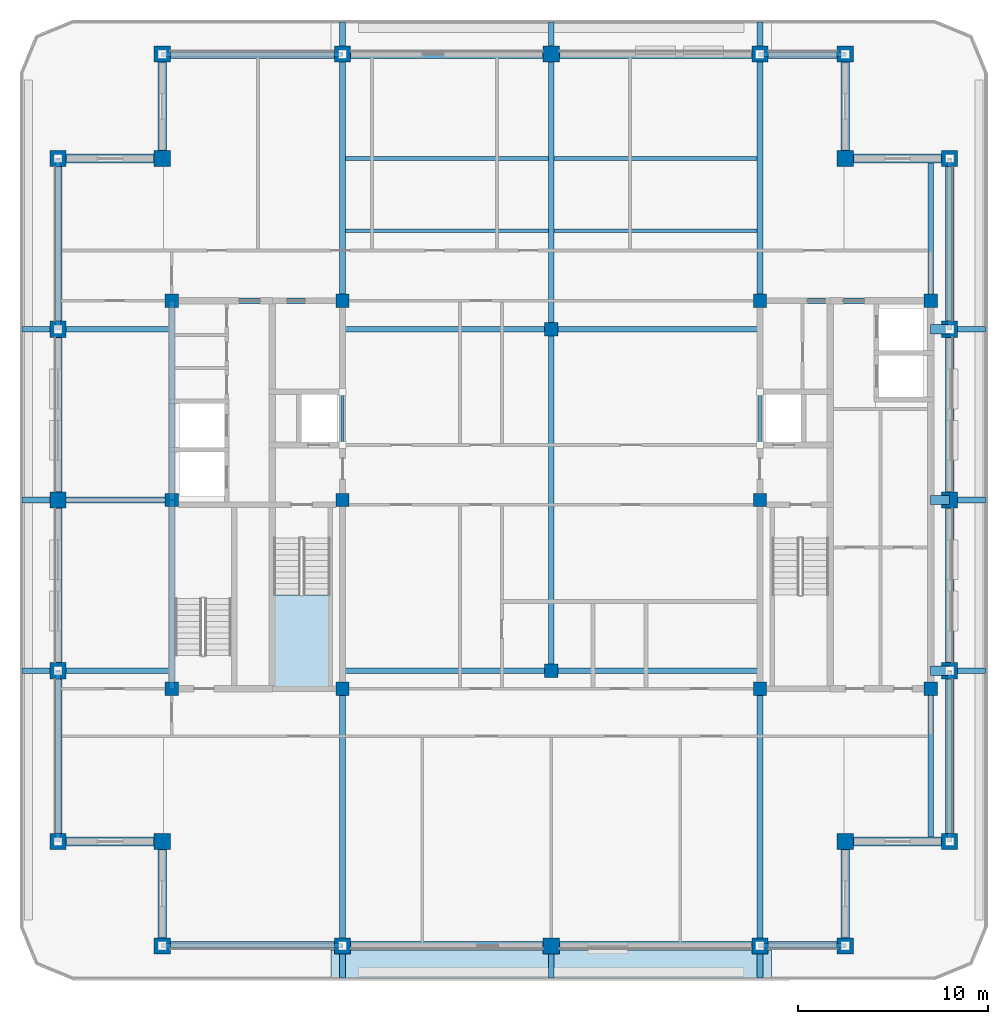
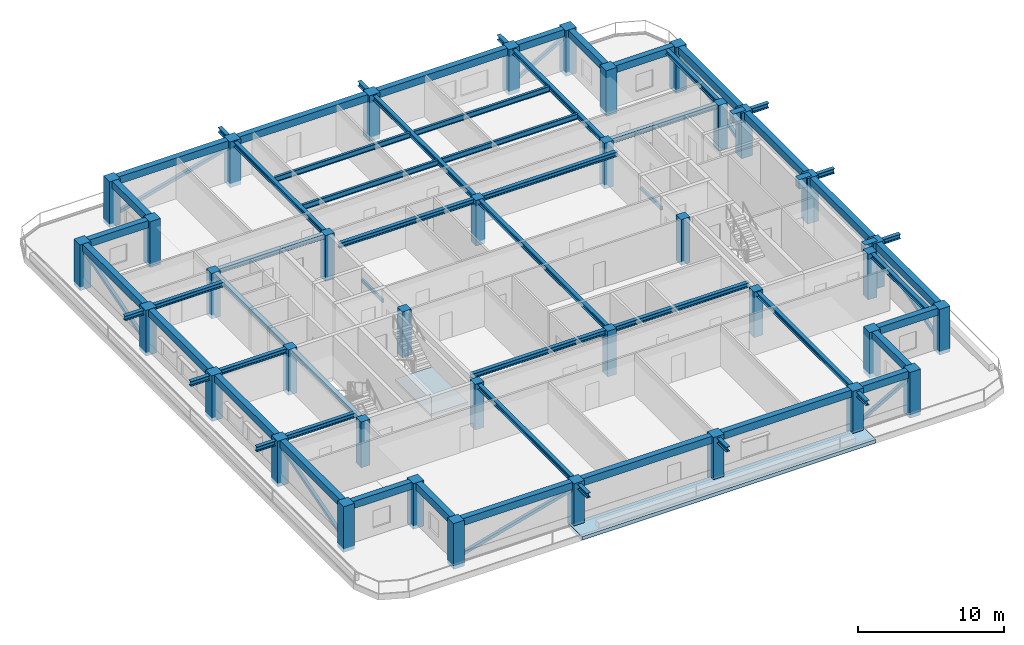
# One storey, part 1 of 11: 64 beams, 37 columns, 8 members, 2 slabs, 1 element without a shape of its own.
"""IFC4 building model written with IfcOpenShell, lengths in metres."""

from ifc_helpers import new_model, si_unit, direction, frame, origin, origin_2d, place, context, subcontext, project, spatial, polyline, rectangle, hollow_rectangle, i_section, outline, extrude, material, layer, layer_set, material_profile, profile_set, type_object, element, aggregate, save


model = new_model("IFC4")

# Units and contexts
model_context = context("Model", 3, precision=1e-05, world=origin(), true_north=direction((0.0, 1.0)))
body_context = subcontext(model_context, "Body", "Model", "MODEL_VIEW")
ifc_project = project(units=[si_unit("LENGTHUNIT", "METRE"), si_unit("AREAUNIT", "SQUARE_METRE"), si_unit("VOLUMEUNIT", "CUBIC_METRE"), si_unit("PLANEANGLEUNIT", "RADIAN"), si_unit("MASSUNIT", "GRAM", prefix="KILO")], contexts=[model_context])

# Site, building, storey
site_placement = place(None, origin())
site = spatial("IfcSite", under=ifc_project, at=site_placement, CompositionType="ELEMENT")
building_placement = place(site_placement, origin())
building = spatial("IfcBuilding", under=site, at=building_placement, Name="Zulmaris Gate Convention Tower", CompositionType="ELEMENT")
storey_placement = place(building_placement, frame((0.0, 0.0, 270.580078125)))
storey = spatial("IfcBuildingStorey", under=building, at=storey_placement, Name="L72", CompositionType="ELEMENT", Elevation=270.580078125)

# Columns
ifc_material_1 = material(Name="Concrete C50/60", Category="concrete")
ifc_material_profile_1 = material_profile(ifc_material_1, rectangle(XDim=0.699951171875, YDim=0.699951171875, at=origin_2d()), Name="RC COL 700x700")
ifc_profile_set_1 = profile_set([ifc_material_profile_1], Name="Concrete C50/60")
column_type_1 = type_object("IfcColumnType", Name="COL-RC700", PredefinedType="COLUMN", material=ifc_profile_set_1)
for number, where, z_axis, x_axis, name in (
    (1, (-20.0, -9.949951171875, -0.324951171875), (0.0, 0.0, 1.0), (1.0, 0.0, 0.0), "L72 Column IN--20.00_-9.95"),
    (2, (-20.0, 10.5, -0.324951171875), (0.0, 0.0, 1.0), (1.0, 0.0, 0.0), "L72 Column IN--20.00_+10.50"),
    (3, (-11.0, -9.949951171875, -0.324951171875), (0.0, 0.0, 1.0), (1.0, 0.0, 0.0), "L72 Column IN--11.00_-9.95"),
    (4, (-11.0, 0.0, -0.324951171875), (0.0, 0.0, 1.0), (1.0, 0.0, 0.0), "L72 Column IN--11.00_+0.00"),
    (5, (-11.0, 10.5, -0.324951171875), (0.0, 0.0, 1.0), (1.0, 0.0, 0.0), "L72 Column IN--11.00_+10.50"),
    (6, (11.0, -9.949951171875, -0.324951171875), (0.0, 0.0, 1.0), (1.0, 0.0, 0.0), "L72 Column IN-+11.00_-9.95"),
    (7, (11.0, 0.0, -0.324951171875), (0.0, 0.0, 1.0), (1.0, 0.0, 0.0), "L72 Column IN-+11.00_+0.00"),
    (8, (11.0, 10.5, -0.324951171875), (0.0, 0.0, 1.0), (1.0, 0.0, 0.0), "L72 Column IN-+11.00_+10.50"),
    (9, (20.0, -9.949951171875, -0.324951171875), (0.0, 0.0, 1.0), (1.0, 0.0, 0.0), "L72 Column IN-+20.00_-9.95"),
    (10, (20.0, 10.5, -0.324951171875), (0.0, 0.0, 1.0), (1.0, 0.0, 0.0), "L72 Column IN-+20.00_+10.50"),
    (11, (0.0, -9.0, -0.324951171875), (0.0, 0.0, 1.0), (1.0, 0.0, 0.0), "L72 Column IN-+0.00_-9.00"),
    (12, (0.0, 9.0, -0.324951171875), (0.0, 0.0, 1.0), (1.0, 0.0, 0.0), "L72 Column IN-+0.00_+9.00"),
    (13, (-20.0, 0.0, -0.324951171875), (0.0, 0.0, 1.0), (1.0, 0.0, 0.0), "L72 Column IN--20.00_+0.00"),
):
    element("IfcColumn", number, at=place(storey_placement, frame(where, z_axis=z_axis, x_axis=x_axis)), inside=storey, type_object=column_type_1, Name=name, PredefinedType="COLUMN", context=body_context, shape_type="SweptSolid", body=[
        extrude(rectangle(XDim=0.699951171875, YDim=0.699951171875, at=origin_2d()), origin(), (0.0, 0.0, 1.0), 3.81494140625),
    ])
ifc_material_2 = material(Name="Concrete C60/75", Category="concrete")
ifc_material_profile_2 = material_profile(ifc_material_2, rectangle(XDim=0.85009765625, YDim=0.85009765625, at=origin_2d()), Name="RC COL 850x850")
ifc_profile_set_2 = profile_set([ifc_material_profile_2], Name="Concrete C60/75")
column_type_2 = type_object("IfcColumnType", Name="COL-RC850", PredefinedType="COLUMN", material=ifc_profile_set_2)
for number, where, z_axis, x_axis, name in (
    (14, (-20.5, -23.5, -0.324951171875), (0.0, 0.0, 1.0), (1.0, 0.0, 0.0), "L72 Column PT--20.50_-23.50"),
    (15, (-11.0, -23.5, -0.324951171875), (0.0, 0.0, 1.0), (1.0, 0.0, 0.0), "L72 Column PT--11.00_-23.50"),
    (16, (0.0, -23.5, -0.324951171875), (0.0, 0.0, 1.0), (1.0, 0.0, 0.0), "L72 Column PT-+0.00_-23.50"),
    (17, (11.0, -23.5, -0.324951171875), (0.0, 0.0, 1.0), (1.0, 0.0, 0.0), "L72 Column PT-+11.00_-23.50"),
    (18, (15.5, -23.5, -0.324951171875), (0.0, 0.0, 1.0), (1.0, 0.0, 0.0), "L72 Column PT-+15.50_-23.50"),
    (19, (-20.5, 23.5, -0.324951171875), (0.0, 0.0, 1.0), (1.0, 0.0, 0.0), "L72 Column PT--20.50_+23.50"),
    (20, (-11.0, 23.5, -0.324951171875), (0.0, 0.0, 1.0), (1.0, 0.0, 0.0), "L72 Column PT--11.00_+23.50"),
    (21, (0.0, 23.5, -0.324951171875), (0.0, 0.0, 1.0), (1.0, 0.0, 0.0), "L72 Column PT-+0.00_+23.50"),
    (22, (11.0, 23.5, -0.324951171875), (0.0, 0.0, 1.0), (1.0, 0.0, 0.0), "L72 Column PT-+11.00_+23.50"),
    (23, (15.5, 23.5, -0.324951171875), (0.0, 0.0, 1.0), (1.0, 0.0, 0.0), "L72 Column PT-+15.50_+23.50"),
    (24, (-26.0, -18.0, -0.324951171875), (0.0, 0.0, 1.0), (1.0, 0.0, 0.0), "L72 Column PT--26.00_-18.00"),
    (25, (-26.0, -9.0, -0.324951171875), (0.0, 0.0, 1.0), (1.0, 0.0, 0.0), "L72 Column PT--26.00_-9.00"),
    (26, (-26.0, 0.0, -0.324951171875), (0.0, 0.0, 1.0), (1.0, 0.0, 0.0), "L72 Column PT--26.00_+0.00"),
    (27, (-26.0, 9.0, -0.324951171875), (0.0, 0.0, 1.0), (1.0, 0.0, 0.0), "L72 Column PT--26.00_+9.00"),
    (28, (-26.0, 18.0, -0.324951171875), (0.0, 0.0, 1.0), (1.0, 0.0, 0.0), "L72 Column PT--26.00_+18.00"),
    (29, (21.0, -18.0, -0.324951171875), (0.0, 0.0, 1.0), (1.0, 0.0, 0.0), "L72 Column PT-+21.00_-18.00"),
    (30, (21.0, -9.0, -0.324951171875), (0.0, 0.0, 1.0), (1.0, 0.0, 0.0), "L72 Column PT-+21.00_-9.00"),
    (31, (21.0, 0.0, -0.324951171875), (0.0, 0.0, 1.0), (1.0, 0.0, 0.0), "L72 Column PT-+21.00_+0.00"),
    (32, (21.0, 9.0, -0.324951171875), (0.0, 0.0, 1.0), (1.0, 0.0, 0.0), "L72 Column PT-+21.00_+9.00"),
    (33, (21.0, 18.0, -0.324951171875), (0.0, 0.0, 1.0), (1.0, 0.0, 0.0), "L72 Column PT-+21.00_+18.00"),
    (34, (-20.5, -18.0, -0.324951171875), (0.0, 0.0, 1.0), (1.0, 0.0, 0.0), "L72 Column PT--20.50_-18.00"),
    (35, (15.5, -18.0, -0.324951171875), (0.0, 0.0, 1.0), (1.0, 0.0, 0.0), "L72 Column PT-+15.50_-18.00"),
    (36, (15.5, 18.0, -0.324951171875), (0.0, 0.0, 1.0), (1.0, 0.0, 0.0), "L72 Column PT-+15.50_+18.00"),
    (37, (-20.5, 18.0, -0.324951171875), (0.0, 0.0, 1.0), (1.0, 0.0, 0.0), "L72 Column PT--20.50_+18.00"),
):
    element("IfcColumn", number, at=place(storey_placement, frame(where, z_axis=z_axis, x_axis=x_axis)), inside=storey, type_object=column_type_2, Name=name, PredefinedType="COLUMN", context=body_context, shape_type="SweptSolid", body=[
        extrude(rectangle(XDim=0.85009765625, YDim=0.85009765625, at=origin_2d()), origin(), (0.0, 0.0, 1.0), 3.81494140625),
    ])

# Beams
ifc_material_3 = material(Name="Steel S355", Category="steel")
ifc_material_profile_3 = material_profile(ifc_material_3, i_section(OverallWidth=0.300048828125, OverallDepth=0.39990234375, WebThickness=0.013427734375, FlangeThickness=0.02392578125, FilletRadius=0.027099609375, at=origin_2d()), Name="HEB 400")
ifc_profile_set_3 = profile_set([ifc_material_profile_3], Name="Steel S355")
beam_type_1 = type_object("IfcBeamType", Name="BM-HEB400", PredefinedType="BEAM", material=ifc_profile_set_3)
for number, where, z_axis, x_axis, name in (
    (38, (-11.0, -25.199951171875, 3.14990234375), (0.0, 1.0, 0.0), (-1.0, 0.0, 0.0), "L72 Beam TBRK-L72-S--11"),
    (39, (-11.0, 23.5, 3.14990234375), (0.0, 1.0, 0.0), (-1.0, 0.0, 0.0), "L72 Beam TBRK-L72-N--11"),
    (40, (0.0, -25.199951171875, 3.14990234375), (0.0, 1.0, 0.0), (-1.0, 0.0, 0.0), "L72 Beam TBRK-L72-S-+0"),
    (41, (0.0, 23.5, 3.14990234375), (0.0, 1.0, 0.0), (-1.0, 0.0, 0.0), "L72 Beam TBRK-L72-N-+0"),
    (42, (11.0, -25.199951171875, 3.14990234375), (0.0, 1.0, 0.0), (-1.0, 0.0, 0.0), "L72 Beam TBRK-L72-S-+11"),
    (43, (11.0, 23.5, 3.14990234375), (0.0, 1.0, 0.0), (-1.0, 0.0, 0.0), "L72 Beam TBRK-L72-N-+11"),
):
    element("IfcBeam", number, at=place(storey_placement, frame(where, z_axis=z_axis, x_axis=x_axis)), inside=storey, type_object=beam_type_1, Name=name, PredefinedType="BEAM", context=body_context, shape_type="SweptSolid", body=[
        extrude(i_section(OverallWidth=0.300048828125, OverallDepth=0.39990234375, WebThickness=0.013427734375, FlangeThickness=0.02392578125, FilletRadius=0.027099609375, at=origin_2d()), origin(), (0.0, 0.0, 1.0), 1.699951171875),
    ])
for number, where, z_axis, x_axis, name in (
    (44, (-27.89990234375, -9.0, 3.14990234375), (1.0, 0.0, 0.0), (0.0, 1.0, 0.0), "L72 Beam TBRK-L72-W--9"),
    (45, (21.0, -9.0, 3.14990234375), (1.0, 0.0, 0.0), (0.0, 1.0, 0.0), "L72 Beam TBRK-L72-E--9"),
    (46, (-27.89990234375, 0.0, 3.14990234375), (1.0, 0.0, 0.0), (0.0, 1.0, 0.0), "L72 Beam TBRK-L72-W-+0"),
    (47, (21.0, 0.0, 3.14990234375), (1.0, 0.0, 0.0), (0.0, 1.0, 0.0), "L72 Beam TBRK-L72-E-+0"),
    (48, (-27.89990234375, 9.0, 3.14990234375), (1.0, 0.0, 0.0), (0.0, 1.0, 0.0), "L72 Beam TBRK-L72-W-+9"),
    (49, (21.0, 9.0, 3.14990234375), (1.0, 0.0, 0.0), (0.0, 1.0, 0.0), "L72 Beam TBRK-L72-E-+9"),
):
    element("IfcBeam", number, at=place(storey_placement, frame(where, z_axis=z_axis, x_axis=x_axis)), inside=storey, type_object=beam_type_1, Name=name, PredefinedType="BEAM", context=body_context, shape_type="SweptSolid", body=[
        extrude(i_section(OverallWidth=0.300048828125, OverallDepth=0.39990234375, WebThickness=0.013427734375, FlangeThickness=0.02392578125, FilletRadius=0.027099609375, at=origin_2d()), origin(), (0.0, 0.0, 1.0), 1.89990234375),
    ])
for number, where, z_axis, x_axis, name in (
    (50, (-11.0, -9.0, 3.2880859375), (1.0, 0.0, 0.0), (0.0, 1.0, 0.0), "L72 Beam BM-L72-G01"),
    (51, (0.0, -9.0, 3.2880859375), (1.0, 0.0, 0.0), (0.0, 1.0, 0.0), "L72 Beam BM-L72-G02"),
    (52, (-11.0, 9.0, 3.2880859375), (1.0, 0.0, 0.0), (0.0, 1.0, 0.0), "L72 Beam BM-L72-G03"),
    (53, (0.0, 9.0, 3.2880859375), (1.0, 0.0, 0.0), (0.0, 1.0, 0.0), "L72 Beam BM-L72-G04"),
):
    element("IfcBeam", number, at=place(storey_placement, frame(where, z_axis=z_axis, x_axis=x_axis)), inside=storey, type_object=beam_type_1, Name=name, PredefinedType="BEAM", context=body_context, shape_type="SweptSolid", body=[
        extrude(i_section(OverallWidth=0.300048828125, OverallDepth=0.39990234375, WebThickness=0.013427734375, FlangeThickness=0.02392578125, FilletRadius=0.027099609375, at=origin_2d()), origin(), (0.0, 0.0, 1.0), 11.0),
    ])
beam_1_placement = place(storey_placement, frame((0.0, -9.0, 3.2880859375), z_axis=(0.0, 1.0, 0.0), x_axis=(-1.0, 0.0, 0.0)))
element("IfcBeam", 54, at=beam_1_placement, inside=storey, type_object=beam_type_1, Name="L72 Beam BM-L72-G06", PredefinedType="BEAM", context=body_context, shape_type="SweptSolid", body=[
    extrude(i_section(OverallWidth=0.300048828125, OverallDepth=0.39990234375, WebThickness=0.013427734375, FlangeThickness=0.02392578125, FilletRadius=0.027099609375, at=origin_2d()), origin(), (0.0, 0.0, 1.0), 18.0),
])
beam_2_placement = place(storey_placement, frame((0.0, 9.0, 3.213134765625), z_axis=(0.0, 1.0, 0.0), x_axis=(-1.0, 0.0, 0.0)))
element("IfcBeam", 55, at=beam_2_placement, inside=storey, type_object=beam_type_1, Name="L72 Beam BM-L72-G07", PredefinedType="BEAM", context=body_context, shape_type="SweptSolid", body=[
    extrude(i_section(OverallWidth=0.300048828125, OverallDepth=0.39990234375, WebThickness=0.013427734375, FlangeThickness=0.02392578125, FilletRadius=0.027099609375, at=origin_2d()), origin(), (0.0, 0.0, 1.0), 14.5),
])
beam_3_placement = place(storey_placement, frame((-11.0, -23.5, 3.213134765625), z_axis=(0.0, 1.0, 0.0), x_axis=(-1.0, 0.0, 0.0)))
element("IfcBeam", 56, at=beam_3_placement, inside=storey, type_object=beam_type_1, Name="L72 Beam BM-L72-G08", PredefinedType="BEAM", context=body_context, shape_type="SweptSolid", body=[
    extrude(i_section(OverallWidth=0.300048828125, OverallDepth=0.39990234375, WebThickness=0.013427734375, FlangeThickness=0.02392578125, FilletRadius=0.027099609375, at=origin_2d()), origin(), (0.0, 0.0, 1.0), 13.550048828125),
])
beam_4_placement = place(storey_placement, frame((-11.0, 10.5, 3.213134765625), z_axis=(0.0, 1.0, 0.0), x_axis=(-1.0, 0.0, 0.0)))
element("IfcBeam", 57, at=beam_4_placement, inside=storey, type_object=beam_type_1, Name="L72 Beam BM-L72-G09", PredefinedType="BEAM", context=body_context, shape_type="SweptSolid", body=[
    extrude(i_section(OverallWidth=0.300048828125, OverallDepth=0.39990234375, WebThickness=0.013427734375, FlangeThickness=0.02392578125, FilletRadius=0.027099609375, at=origin_2d()), origin(), (0.0, 0.0, 1.0), 13.0),
])
beam_5_placement = place(storey_placement, frame((11.0, -23.5, 3.213134765625), z_axis=(0.0, 1.0, 0.0), x_axis=(-1.0, 0.0, 0.0)))
element("IfcBeam", 58, at=beam_5_placement, inside=storey, type_object=beam_type_1, Name="L72 Beam BM-L72-G10", PredefinedType="BEAM", context=body_context, shape_type="SweptSolid", body=[
    extrude(i_section(OverallWidth=0.300048828125, OverallDepth=0.39990234375, WebThickness=0.013427734375, FlangeThickness=0.02392578125, FilletRadius=0.027099609375, at=origin_2d()), origin(), (0.0, 0.0, 1.0), 13.550048828125),
])
beam_6_placement = place(storey_placement, frame((11.0, 10.5, 3.213134765625), z_axis=(0.0, 1.0, 0.0), x_axis=(-1.0, 0.0, 0.0)))
element("IfcBeam", 59, at=beam_6_placement, inside=storey, type_object=beam_type_1, Name="L72 Beam BM-L72-G11", PredefinedType="BEAM", context=body_context, shape_type="SweptSolid", body=[
    extrude(i_section(OverallWidth=0.300048828125, OverallDepth=0.39990234375, WebThickness=0.013427734375, FlangeThickness=0.02392578125, FilletRadius=0.027099609375, at=origin_2d()), origin(), (0.0, 0.0, 1.0), 13.0),
])
beam_7_placement = place(storey_placement, frame((20.0, -18.0, 3.2880859375), z_axis=(0.0, 1.0, 0.0), x_axis=(-1.0, 0.0, 0.0)))
element("IfcBeam", 60, at=beam_7_placement, inside=storey, type_object=beam_type_1, Name="L72 Beam BM-L72-G14", PredefinedType="BEAM", context=body_context, shape_type="SweptSolid", body=[
    extrude(i_section(OverallWidth=0.300048828125, OverallDepth=0.39990234375, WebThickness=0.013427734375, FlangeThickness=0.02392578125, FilletRadius=0.027099609375, at=origin_2d()), origin(), (0.0, 0.0, 1.0), 8.050048828125),
])
beam_8_placement = place(storey_placement, frame((20.0, 10.5, 3.2880859375), z_axis=(0.0, 1.0, 0.0), x_axis=(-1.0, 0.0, 0.0)))
element("IfcBeam", 61, at=beam_8_placement, inside=storey, type_object=beam_type_1, Name="L72 Beam BM-L72-G15", PredefinedType="BEAM", context=body_context, shape_type="SweptSolid", body=[
    extrude(i_section(OverallWidth=0.300048828125, OverallDepth=0.39990234375, WebThickness=0.013427734375, FlangeThickness=0.02392578125, FilletRadius=0.027099609375, at=origin_2d()), origin(), (0.0, 0.0, 1.0), 7.5),
])
for number, where, z_axis, x_axis, name in (
    (62, (-26.0, -9.0, 3.2880859375), (1.0, 0.0, 0.0), (0.0, 1.0, 0.0), "L72 Beam BM-L72-G16"),
    (63, (-26.0, 0.0, 3.2880859375), (1.0, 0.0, 0.0), (0.0, 1.0, 0.0), "L72 Beam BM-L72-G17"),
    (64, (-26.0, 9.0, 3.2880859375), (1.0, 0.0, 0.0), (0.0, 1.0, 0.0), "L72 Beam BM-L72-G18"),
):
    element("IfcBeam", number, at=place(storey_placement, frame(where, z_axis=z_axis, x_axis=x_axis)), inside=storey, type_object=beam_type_1, Name=name, PredefinedType="BEAM", context=body_context, shape_type="SweptSolid", body=[
        extrude(i_section(OverallWidth=0.300048828125, OverallDepth=0.39990234375, WebThickness=0.013427734375, FlangeThickness=0.02392578125, FilletRadius=0.027099609375, at=origin_2d()), origin(), (0.0, 0.0, 1.0), 6.0),
    ])
for number, where, z_axis, x_axis, name in (
    (65, (-20.0, 10.5, 3.2880859375), (1.0, 0.0, 0.0), (0.0, 1.0, 0.0), "L72 Beam BM-L72-G23"),
    (66, (11.0, 10.5, 3.2880859375), (1.0, 0.0, 0.0), (0.0, 1.0, 0.0), "L72 Beam BM-L72-G25"),
):
    element("IfcBeam", number, at=place(storey_placement, frame(where, z_axis=z_axis, x_axis=x_axis)), inside=storey, type_object=beam_type_1, Name=name, PredefinedType="BEAM", context=body_context, shape_type="SweptSolid", body=[
        extrude(i_section(OverallWidth=0.300048828125, OverallDepth=0.39990234375, WebThickness=0.013427734375, FlangeThickness=0.02392578125, FilletRadius=0.027099609375, at=origin_2d()), origin(), (0.0, 0.0, 1.0), 9.0),
    ])
beam_9_placement = place(storey_placement, frame((-20.0, -9.949951171875, 3.2880859375), z_axis=(0.0, 1.0, 0.0), x_axis=(-1.0, 0.0, 0.0)))
element("IfcBeam", 67, at=beam_9_placement, inside=storey, type_object=beam_type_1, Name="L72 Beam BM-L72-G26", PredefinedType="BEAM", context=body_context, shape_type="SweptSolid", body=[
    extrude(i_section(OverallWidth=0.300048828125, OverallDepth=0.39990234375, WebThickness=0.013427734375, FlangeThickness=0.02392578125, FilletRadius=0.027099609375, at=origin_2d()), origin(), (0.0, 0.0, 1.0), 9.949951171875),
])
beam_10_placement = place(storey_placement, frame((-20.0, 0.0, 3.2880859375), z_axis=(0.0, 1.0, 0.0), x_axis=(-1.0, 0.0, 0.0)))
element("IfcBeam", 68, at=beam_10_placement, inside=storey, type_object=beam_type_1, Name="L72 Beam BM-L72-G27", PredefinedType="BEAM", context=body_context, shape_type="SweptSolid", body=[
    extrude(i_section(OverallWidth=0.300048828125, OverallDepth=0.39990234375, WebThickness=0.013427734375, FlangeThickness=0.02392578125, FilletRadius=0.027099609375, at=origin_2d()), origin(), (0.0, 0.0, 1.0), 10.5),
])
ifc_material_profile_4 = material_profile(ifc_material_1, rectangle(XDim=0.5, YDim=0.800048828125, at=origin_2d()), Name="RC BEAM 500x800")
ifc_profile_set_4 = profile_set([ifc_material_profile_4], Name="Concrete C50/60")
beam_type_2 = type_object("IfcBeamType", Name="BM-RC500x800", PredefinedType="BEAM", material=ifc_profile_set_4)
for number, where, z_axis, x_axis, name in (
    (69, (20.0, -9.0, 3.090087890625), (1.0, 0.0, 0.0), (0.0, 1.0, 0.0), "L72 Beam BM-L72-G19"),
    (70, (20.0, 0.0, 3.090087890625), (1.0, 0.0, 0.0), (0.0, 1.0, 0.0), "L72 Beam BM-L72-G20"),
    (71, (20.0, 9.0, 3.090087890625), (1.0, 0.0, 0.0), (0.0, 1.0, 0.0), "L72 Beam BM-L72-G21"),
):
    element("IfcBeam", number, at=place(storey_placement, frame(where, z_axis=z_axis, x_axis=x_axis)), inside=storey, type_object=beam_type_2, Name=name, PredefinedType="BEAM", context=body_context, shape_type="SweptSolid", body=[
        extrude(rectangle(XDim=0.5, YDim=0.800048828125, at=origin_2d()), origin(), (0.0, 0.0, 1.0), 1.0),
    ])
ifc_material_4 = material(Name="Precast concrete C50/60", Category="concrete")
ifc_material_profile_5 = material_profile(ifc_material_4, rectangle(XDim=0.449951171875, YDim=0.60009765625, at=origin_2d()), Name="RC SPANDREL 450x600")
ifc_profile_set_5 = profile_set([ifc_material_profile_5], Name="Precast concrete C50/60")
beam_type_3 = type_object("IfcBeamType", Name="BM-SP450x600", PredefinedType="SPANDREL", material=ifc_profile_set_5)
beam_11_placement = place(storey_placement, frame((-20.5, -23.5, 3.18994140625), z_axis=(1.0, 0.0, 0.0), x_axis=(0.0, 1.0, 0.0)))
element("IfcBeam", 72, at=beam_11_placement, inside=storey, type_object=beam_type_3, Name="L72 Spandrel SP-L72-01", PredefinedType="SPANDREL", context=body_context, shape_type="SweptSolid", body=[
    extrude(rectangle(XDim=0.449951171875, YDim=0.60009765625, at=origin_2d()), origin(), (0.0, 0.0, 1.0), 9.5),
])
for number, where, z_axis, x_axis, name in (
    (73, (-11.0, -23.5, 3.18994140625), (1.0, 0.0, 0.0), (0.0, 1.0, 0.0), "L72 Spandrel SP-L72-02"),
    (74, (0.0, -23.5, 3.18994140625), (1.0, 0.0, 0.0), (0.0, 1.0, 0.0), "L72 Spandrel SP-L72-03"),
):
    element("IfcBeam", number, at=place(storey_placement, frame(where, z_axis=z_axis, x_axis=x_axis)), inside=storey, type_object=beam_type_3, Name=name, PredefinedType="SPANDREL", context=body_context, shape_type="SweptSolid", body=[
        extrude(rectangle(XDim=0.449951171875, YDim=0.60009765625, at=origin_2d()), origin(), (0.0, 0.0, 1.0), 11.0),
    ])
beam_12_placement = place(storey_placement, frame((11.0, -23.5, 3.18994140625), z_axis=(1.0, 0.0, 0.0), x_axis=(0.0, 1.0, 0.0)))
element("IfcBeam", 75, at=beam_12_placement, inside=storey, type_object=beam_type_3, Name="L72 Spandrel SP-L72-04", PredefinedType="SPANDREL", context=body_context, shape_type="SweptSolid", body=[
    extrude(rectangle(XDim=0.449951171875, YDim=0.60009765625, at=origin_2d()), origin(), (0.0, 0.0, 1.0), 4.5),
])
for number, where, z_axis, x_axis, name in (
    (76, (15.5, -23.5, 3.18994140625), (0.0, 1.0, 0.0), (-1.0, 0.0, 0.0), "L72 Spandrel SP-L72-05"),
    (77, (15.5, -18.0, 3.18994140625), (1.0, 0.0, 0.0), (0.0, 1.0, 0.0), "L72 Spandrel SP-L72-06"),
):
    element("IfcBeam", number, at=place(storey_placement, frame(where, z_axis=z_axis, x_axis=x_axis)), inside=storey, type_object=beam_type_3, Name=name, PredefinedType="SPANDREL", context=body_context, shape_type="SweptSolid", body=[
        extrude(rectangle(XDim=0.449951171875, YDim=0.60009765625, at=origin_2d()), origin(), (0.0, 0.0, 1.0), 5.5),
    ])
for number, where, z_axis, x_axis, name in (
    (78, (21.0, -18.0, 3.18994140625), (0.0, 1.0, 0.0), (-1.0, 0.0, 0.0), "L72 Spandrel SP-L72-07"),
    (79, (21.0, -9.0, 3.18994140625), (0.0, 1.0, 0.0), (-1.0, 0.0, 0.0), "L72 Spandrel SP-L72-08"),
    (80, (21.0, 0.0, 3.18994140625), (0.0, 1.0, 0.0), (-1.0, 0.0, 0.0), "L72 Spandrel SP-L72-09"),
    (81, (21.0, 9.0, 3.18994140625), (0.0, 1.0, 0.0), (-1.0, 0.0, 0.0), "L72 Spandrel SP-L72-10"),
):
    element("IfcBeam", number, at=place(storey_placement, frame(where, z_axis=z_axis, x_axis=x_axis)), inside=storey, type_object=beam_type_3, Name=name, PredefinedType="SPANDREL", context=body_context, shape_type="SweptSolid", body=[
        extrude(rectangle(XDim=0.449951171875, YDim=0.60009765625, at=origin_2d()), origin(), (0.0, 0.0, 1.0), 9.0),
    ])
for number, where, z_axis, x_axis, name in (
    (82, (21.0, 18.0, 3.18994140625), (-1.0, 0.0, 0.0), (0.0, -1.0, 0.0), "L72 Spandrel SP-L72-11"),
    (83, (15.5, 18.0, 3.18994140625), (0.0, 1.0, 0.0), (-1.0, 0.0, 0.0), "L72 Spandrel SP-L72-12"),
):
    element("IfcBeam", number, at=place(storey_placement, frame(where, z_axis=z_axis, x_axis=x_axis)), inside=storey, type_object=beam_type_3, Name=name, PredefinedType="SPANDREL", context=body_context, shape_type="SweptSolid", body=[
        extrude(rectangle(XDim=0.449951171875, YDim=0.60009765625, at=origin_2d()), origin(), (0.0, 0.0, 1.0), 5.5),
    ])
beam_13_placement = place(storey_placement, frame((15.5, 23.5, 3.18994140625), z_axis=(-1.0, 0.0, 0.0), x_axis=(0.0, -1.0, 0.0)))
element("IfcBeam", 84, at=beam_13_placement, inside=storey, type_object=beam_type_3, Name="L72 Spandrel SP-L72-13", PredefinedType="SPANDREL", context=body_context, shape_type="SweptSolid", body=[
    extrude(rectangle(XDim=0.449951171875, YDim=0.60009765625, at=origin_2d()), origin(), (0.0, 0.0, 1.0), 4.5),
])
for number, where, z_axis, x_axis, name in (
    (85, (11.0, 23.5, 3.18994140625), (-1.0, 0.0, 0.0), (0.0, -1.0, 0.0), "L72 Spandrel SP-L72-14"),
    (86, (0.0, 23.5, 3.18994140625), (-1.0, 0.0, 0.0), (0.0, -1.0, 0.0), "L72 Spandrel SP-L72-15"),
):
    element("IfcBeam", number, at=place(storey_placement, frame(where, z_axis=z_axis, x_axis=x_axis)), inside=storey, type_object=beam_type_3, Name=name, PredefinedType="SPANDREL", context=body_context, shape_type="SweptSolid", body=[
        extrude(rectangle(XDim=0.449951171875, YDim=0.60009765625, at=origin_2d()), origin(), (0.0, 0.0, 1.0), 11.0),
    ])
beam_14_placement = place(storey_placement, frame((-11.0, 23.5, 3.18994140625), z_axis=(-1.0, 0.0, 0.0), x_axis=(0.0, -1.0, 0.0)))
element("IfcBeam", 87, at=beam_14_placement, inside=storey, type_object=beam_type_3, Name="L72 Spandrel SP-L72-16", PredefinedType="SPANDREL", context=body_context, shape_type="SweptSolid", body=[
    extrude(rectangle(XDim=0.449951171875, YDim=0.60009765625, at=origin_2d()), origin(), (0.0, 0.0, 1.0), 9.5),
])
for number, where, z_axis, x_axis, name in (
    (88, (-20.5, 23.5, 3.18994140625), (0.0, -1.0, 0.0), (1.0, 0.0, 0.0), "L72 Spandrel SP-L72-17"),
    (89, (-20.5, 18.0, 3.18994140625), (-1.0, 0.0, 0.0), (0.0, -1.0, 0.0), "L72 Spandrel SP-L72-18"),
):
    element("IfcBeam", number, at=place(storey_placement, frame(where, z_axis=z_axis, x_axis=x_axis)), inside=storey, type_object=beam_type_3, Name=name, PredefinedType="SPANDREL", context=body_context, shape_type="SweptSolid", body=[
        extrude(rectangle(XDim=0.449951171875, YDim=0.60009765625, at=origin_2d()), origin(), (0.0, 0.0, 1.0), 5.5),
    ])
for number, where, z_axis, x_axis, name in (
    (90, (-26.0, 18.0, 3.18994140625), (0.0, -1.0, 0.0), (1.0, 0.0, 0.0), "L72 Spandrel SP-L72-19"),
    (91, (-26.0, 9.0, 3.18994140625), (0.0, -1.0, 0.0), (1.0, 0.0, 0.0), "L72 Spandrel SP-L72-20"),
    (92, (-26.0, 0.0, 3.18994140625), (0.0, -1.0, 0.0), (1.0, 0.0, 0.0), "L72 Spandrel SP-L72-21"),
    (93, (-26.0, -9.0, 3.18994140625), (0.0, -1.0, 0.0), (1.0, 0.0, 0.0), "L72 Spandrel SP-L72-22"),
):
    element("IfcBeam", number, at=place(storey_placement, frame(where, z_axis=z_axis, x_axis=x_axis)), inside=storey, type_object=beam_type_3, Name=name, PredefinedType="SPANDREL", context=body_context, shape_type="SweptSolid", body=[
        extrude(rectangle(XDim=0.449951171875, YDim=0.60009765625, at=origin_2d()), origin(), (0.0, 0.0, 1.0), 9.0),
    ])
for number, where, z_axis, x_axis, name in (
    (94, (-26.0, -18.0, 3.18994140625), (1.0, 0.0, 0.0), (0.0, 1.0, 0.0), "L72 Spandrel SP-L72-23"),
    (95, (-20.5, -18.0, 3.18994140625), (0.0, -1.0, 0.0), (1.0, 0.0, 0.0), "L72 Spandrel SP-L72-24"),
):
    element("IfcBeam", number, at=place(storey_placement, frame(where, z_axis=z_axis, x_axis=x_axis)), inside=storey, type_object=beam_type_3, Name=name, PredefinedType="SPANDREL", context=body_context, shape_type="SweptSolid", body=[
        extrude(rectangle(XDim=0.449951171875, YDim=0.60009765625, at=origin_2d()), origin(), (0.0, 0.0, 1.0), 5.5),
    ])

# Members
ifc_material_profile_6 = material_profile(ifc_material_3, hollow_rectangle(XDim=0.25, YDim=0.25, WallThickness=0.012451171875, at=origin_2d()), Name="SHS 250x250x12.5")
ifc_profile_set_6 = profile_set([ifc_material_profile_6], Name="Steel S355")
member_type = type_object("IfcMemberType", Name="BR-SHS250", PredefinedType="BRACE", material=ifc_profile_set_6)
for number, where, z_axis, x_axis, name in (
    (96, (-26.0, -18.0, 0.300048828125), (0.0, 0.961562326097, 0.274586767763), (-1.0, 0.0, 0.0), "L72 Perimeter Tube Diagonal SW-W"),
    (97, (-26.0, 9.0, 0.300048828125), (0.0, 0.961562326097, 0.274586767763), (-1.0, 0.0, 0.0), "L72 Perimeter Tube Diagonal NW-W"),
    (98, (21.0, -18.0, 0.300048828125), (0.0, 0.961562326097, 0.274586767763), (-1.0, 0.0, 0.0), "L72 Perimeter Tube Diagonal SE-E"),
    (99, (21.0, 9.0, 0.300048828125), (0.0, 0.961562326097, 0.274586767763), (-1.0, 0.0, 0.0), "L72 Perimeter Tube Diagonal NE-E"),
):
    element("IfcMember", number, at=place(storey_placement, frame(where, z_axis=z_axis, x_axis=x_axis)), inside=storey, type_object=member_type, Name=name, PredefinedType="BRACE", context=body_context, shape_type="SweptSolid", body=[
        extrude(hollow_rectangle(XDim=0.25, YDim=0.25, WallThickness=0.012451171875, at=origin_2d()), origin(), (0.0, 0.0, 1.0), 9.35986328125),
    ])
member_1_placement = place(storey_placement, frame((-20.5, -23.5, 0.300048828125), z_axis=(0.965299361639, 0.0, 0.261145825966), x_axis=(0.0, 1.0, 0.0)))
element("IfcMember", 100, at=member_1_placement, inside=storey, type_object=member_type, Name="L72 Perimeter Tube Diagonal SW-S", PredefinedType="BRACE", context=body_context, shape_type="SweptSolid", body=[
    extrude(hollow_rectangle(XDim=0.25, YDim=0.25, WallThickness=0.012451171875, at=origin_2d()), origin(), (0.0, 0.0, 1.0), 9.841552734375),
])
member_2_placement = place(storey_placement, frame((11.0, -23.5, 0.300048828125), z_axis=(0.86835618679, 0.0, 0.495941057852), x_axis=(0.0, 1.0, 0.0)))
element("IfcMember", 101, at=member_2_placement, inside=storey, type_object=member_type, Name="L72 Perimeter Tube Diagonal SE-S", PredefinedType="BRACE", context=body_context, shape_type="SweptSolid", body=[
    extrude(hollow_rectangle(XDim=0.25, YDim=0.25, WallThickness=0.012451171875, at=origin_2d()), origin(), (0.0, 0.0, 1.0), 5.18212890625),
])
member_3_placement = place(storey_placement, frame((-20.5, 23.5, 0.300048828125), z_axis=(0.965299361639, 0.0, 0.261145825966), x_axis=(0.0, 1.0, 0.0)))
element("IfcMember", 102, at=member_3_placement, inside=storey, type_object=member_type, Name="L72 Perimeter Tube Diagonal NW-N", PredefinedType="BRACE", context=body_context, shape_type="SweptSolid", body=[
    extrude(hollow_rectangle(XDim=0.25, YDim=0.25, WallThickness=0.012451171875, at=origin_2d()), origin(), (0.0, 0.0, 1.0), 9.841552734375),
])
member_4_placement = place(storey_placement, frame((11.0, 23.5, 0.300048828125), z_axis=(0.86835618679, 0.0, 0.495941057852), x_axis=(0.0, 1.0, 0.0)))
element("IfcMember", 103, at=member_4_placement, inside=storey, type_object=member_type, Name="L72 Perimeter Tube Diagonal NE-N", PredefinedType="BRACE", context=body_context, shape_type="SweptSolid", body=[
    extrude(hollow_rectangle(XDim=0.25, YDim=0.25, WallThickness=0.012451171875, at=origin_2d()), origin(), (0.0, 0.0, 1.0), 5.18212890625),
])

# Beams
ifc_material_profile_7 = material_profile(ifc_material_3, i_section(OverallWidth=0.18994140625, OverallDepth=0.449951171875, WebThickness=0.009521484375, FlangeThickness=0.0146484375, FilletRadius=0.02099609375, at=origin_2d()), Name="IPE 450")
ifc_profile_set_7 = profile_set([ifc_material_profile_7], Name="Steel S355")
beam_type_4 = type_object("IfcBeamType", Name="JT-IPE450", PredefinedType="JOIST", material=ifc_profile_set_7)
for number, where, z_axis, x_axis, name in (
    (104, (-10.85009765625, 14.199951171875, 3.262939453125), (1.0, 0.0, 0.0), (0.0, 1.0, 0.0), "L72 Joist JT-L72-CW-+14.2"),
    (105, (0.14990234375, 14.199951171875, 3.262939453125), (1.0, 0.0, 0.0), (0.0, 1.0, 0.0), "L72 Joist JT-L72-CE-+14.2"),
    (106, (-10.85009765625, 18.0, 3.262939453125), (1.0, 0.0, 0.0), (0.0, 1.0, 0.0), "L72 Joist JT-L72-CW-+18.0"),
    (107, (0.14990234375, 18.0, 3.262939453125), (1.0, 0.0, 0.0), (0.0, 1.0, 0.0), "L72 Joist JT-L72-CE-+18.0"),
):
    element("IfcBeam", number, at=place(storey_placement, frame(where, z_axis=z_axis, x_axis=x_axis)), inside=storey, type_object=beam_type_4, Name=name, PredefinedType="JOIST", context=body_context, shape_type="SweptSolid", body=[
        extrude(i_section(OverallWidth=0.18994140625, OverallDepth=0.449951171875, WebThickness=0.009521484375, FlangeThickness=0.0146484375, FilletRadius=0.02099609375, at=origin_2d()), origin(), (0.0, 0.0, 1.0), 10.7001953125),
    ])
ifc_material_profile_8 = material_profile(ifc_material_3, hollow_rectangle(XDim=0.14990234375, YDim=0.300048828125, WallThickness=0.010009765625, at=origin_2d()), Name="RHS 300x150x10")
ifc_profile_set_8 = profile_set([ifc_material_profile_8], Name="Steel S355")
beam_type_5 = type_object("IfcBeamType", Name="LN-RHS300", PredefinedType="LINTEL", material=ifc_profile_set_8)
for number, where, z_axis, x_axis, name in (
    (108, (-11.0, 2.89990234375, 2.35009765625), (0.0, 1.0, 0.0), (-1.0, 0.0, 0.0), "L72 Core Opening Steel Lintel 1"),
    (109, (11.0, 2.89990234375, 2.35009765625), (0.0, 1.0, 0.0), (-1.0, 0.0, 0.0), "L72 Core Opening Steel Lintel 2"),
):
    element("IfcBeam", number, at=place(storey_placement, frame(where, z_axis=z_axis, x_axis=x_axis)), inside=storey, type_object=beam_type_5, Name=name, PredefinedType="LINTEL", context=body_context, shape_type="SweptSolid", body=[
        extrude(hollow_rectangle(XDim=0.14990234375, YDim=0.300048828125, WallThickness=0.010009765625, at=origin_2d()), origin(), (0.0, 0.0, 1.0), 2.800048828125),
    ])

# Stair, slab
ifc_material_5 = material(Name="Concrete C45/55", Category="concrete")
stair_type = type_object("IfcStairType", Name="ST-CORE-DOGLEG", PredefinedType="HALF_TURN_STAIR", material=ifc_material_5)
stair_placement = place(storey_placement, origin())
stair = element("IfcStair", 110, at=stair_placement, inside=storey, type_object=stair_type, Name="L72 Core Exit Stair ST-1", PredefinedType="HALF_TURN_STAIR")
ifc_layer_1 = layer(ifc_material_5, 0.199951171875, Name="Concrete C45/55")
ifc_layer_set_1 = layer_set([ifc_layer_1], Name="Concrete C45/55")
slab_type_1 = type_object("IfcSlabType", Name="SL-LND-200", PredefinedType="LANDING", material=ifc_layer_set_1)
slab_1_placement = place(storey_placement, frame((0.0, 0.0, 1.669921875)))
slab_1 = element("IfcSlab", 111, at=slab_1_placement, type_object=slab_type_1, Name="ST-1 landing 1", PredefinedType="LANDING", context=body_context, shape_type="SweptSolid", body=[
    extrude(outline(polyline([(-14.6201171875, -5.0), (-14.6201171875, -9.85009765625), (-11.659912109375, -9.85009765625), (-11.659912109375, -5.0), (-14.6201171875, -5.0)])), origin(), (0.0, 0.0, 1.0), 0.2001953125),
])
aggregate(stair, [slab_1])

# Slab
ifc_layer_2 = layer(ifc_material_1, 0.300048828125, Name="Concrete C50/60")
ifc_layer_set_2 = layer_set([ifc_layer_2], Name="Concrete C50/60")
slab_type_2 = type_object("IfcSlabType", Name="SL-SG-300", PredefinedType="FLOOR", material=ifc_layer_set_2)
slab_2_placement = place(storey_placement, frame((0.0, 0.0, -0.324951171875)))
element("IfcSlab", 112, at=slab_2_placement, inside=storey, type_object=slab_type_2, Name="L72 South Sky-Garden Planter Slab", PredefinedType="FLOOR", context=body_context, shape_type="SweptSolid", body=[
    extrude(outline(polyline([(-11.597900390625, -25.300048828125), (-11.597900390625, -23.5), (11.597900390625, -23.5), (11.597900390625, -25.300048828125), (-11.597900390625, -25.300048828125)])), origin(), (0.0, 0.0, 1.0), 0.300048828125),
])

save(model, "model.ifc")
